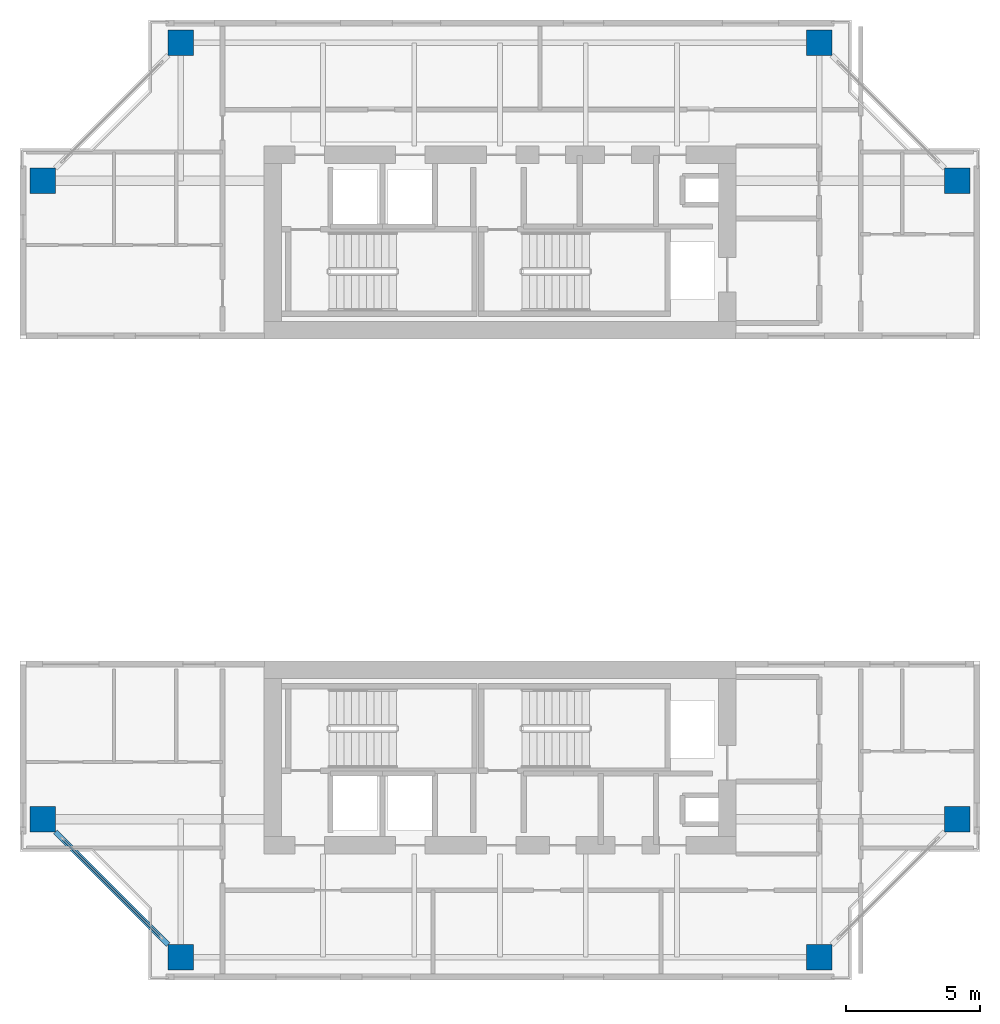
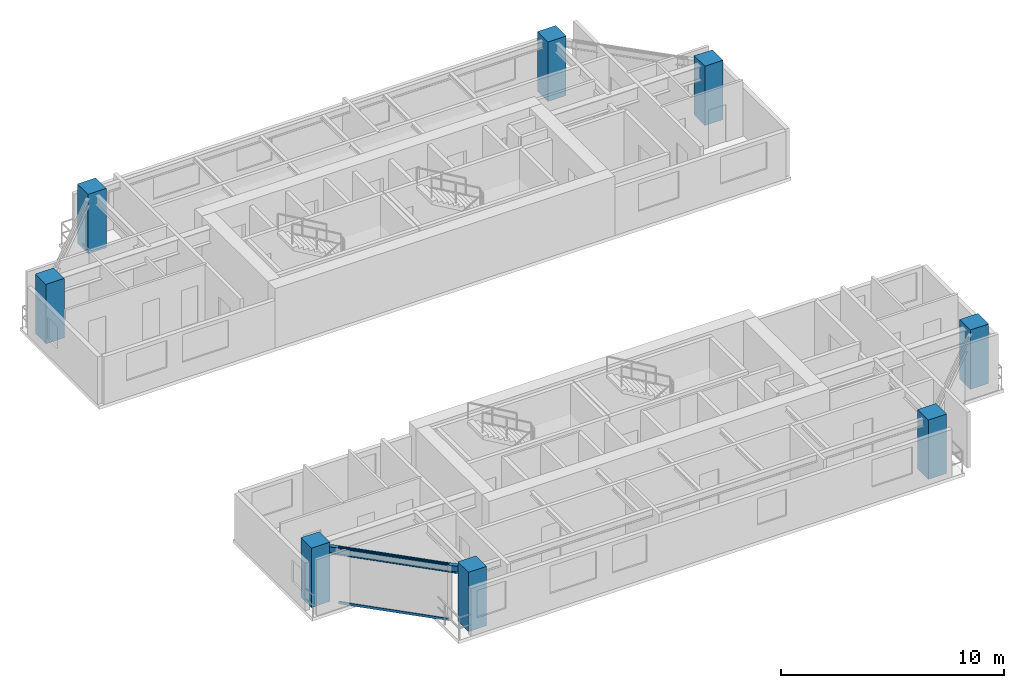
# One storey, part 1 of 12: 8 columns, 2 members, 1 beam, 1 element without a shape of its own.
"""IFC4 building model written with IfcOpenShell, lengths in metres."""

from ifc_helpers import new_model, si_unit, direction, frame, origin, origin_2d, place, context, subcontext, project, spatial, rectangle, i_section, extrude, source, transform, mapped, material, layer, layer_set, material_profile, profile_set, type_object, element, aggregate, save


model = new_model("IFC4")

# Units and contexts
model_context = context("Model", 3, precision=1e-05, world=origin(), true_north=direction((0.0, 1.0)))
body_context = subcontext(model_context, "Body", "Model", "MODEL_VIEW")
ifc_project = project(units=[si_unit("LENGTHUNIT", "METRE"), si_unit("AREAUNIT", "SQUARE_METRE"), si_unit("VOLUMEUNIT", "CUBIC_METRE"), si_unit("PLANEANGLEUNIT", "RADIAN"), si_unit("MASSUNIT", "GRAM", prefix="KILO"), si_unit("THERMODYNAMICTEMPERATUREUNIT", "KELVIN"), si_unit("POWERUNIT", "WATT")], contexts=[model_context])

# Site, building, storey
site_placement = place(None, origin())
site = spatial("IfcSite", under=ifc_project, at=site_placement, CompositionType="ELEMENT")
building_placement = place(site_placement, origin())
building = spatial("IfcBuilding", under=site, at=building_placement, Name="Qiaomeng Ring Towers", CompositionType="ELEMENT")
storey_placement = place(building_placement, frame((0.0, 0.0, 160.0)))
storey = spatial("IfcBuildingStorey", under=building, at=storey_placement, Name="L46", CompositionType="ELEMENT", Elevation=160.0)

# Columns
ifc_material_1 = material(Name="Concrete C50", Category="concrete")
ifc_material_profile_1 = material_profile(ifc_material_1, rectangle(XDim=0.949951171875, YDim=0.949951171875, at=origin_2d()), Name="RC COL 950x950")
ifc_profile_set_1 = profile_set([ifc_material_profile_1], Name="Concrete C50")
column_type = type_object("IfcColumnType", Name="STR-COL-950-C50", PredefinedType="COLUMN", material=ifc_profile_set_1)
shared_shape_1 = source(origin(), body_context, "Body", "SweptSolid", [
    extrude(rectangle(XDim=0.949951171875, YDim=0.949951171875, at=origin_2d()), origin(), (0.0, 0.0, 1.0), 3.25),
])
for number, where, z_axis, x_axis, name in (
    (1, (7.10009765625, 5.949951171875, 0.0), (0.0, 0.0, 1.0), (1.0, 0.0, 0.0), "L46 column STR-COL-L46-T1-S1"),
    (2, (30.89990234375, 5.949951171875, 0.0), (0.0, 0.0, 1.0), (1.0, 0.0, 0.0), "L46 column STR-COL-L46-T1-S2"),
    (3, (36.050048828125, 11.10009765625, 0.0), (0.0, 0.0, 1.0), (1.0, 0.0, 0.0), "L46 column STR-COL-L46-T1-E1"),
    (4, (36.050048828125, 34.89990234375, 0.0), (0.0, 0.0, 1.0), (1.0, 0.0, 0.0), "L46 column STR-COL-L46-T1-E4"),
    (5, (30.89990234375, 40.050048828125, 0.0), (0.0, 0.0, 1.0), (1.0, 0.0, 0.0), "L46 column STR-COL-L46-T1-N2"),
    (6, (7.10009765625, 40.050048828125, 0.0), (0.0, 0.0, 1.0), (1.0, 0.0, 0.0), "L46 column STR-COL-L46-T1-N1"),
    (7, (1.949951171875, 34.89990234375, 0.0), (0.0, 0.0, 1.0), (1.0, 0.0, 0.0), "L46 column STR-COL-L46-T1-W4"),
    (8, (1.949951171875, 11.10009765625, 0.0), (0.0, 0.0, 1.0), (1.0, 0.0, 0.0), "L46 column STR-COL-L46-T1-W1"),
):
    element("IfcColumn", number, at=place(storey_placement, frame(where, z_axis=z_axis, x_axis=x_axis)), inside=storey, type_object=column_type, Name=name, PredefinedType="COLUMN", context=body_context, shape_type="MappedRepresentation", body=[
        mapped(shared_shape_1, transform((0.0, 0.0, 0.0), x_axis=(1.0, 0.0, 0.0), y_axis=(0.0, 1.0, 0.0), z_axis=(0.0, 0.0, 1.0), scale=1.0)),
    ])

# Beam
ifc_material_2 = material(Name="Steel Q355B", Category="steel")
ifc_material_profile_2 = material_profile(ifc_material_2, i_section(OverallWidth=0.199951171875, OverallDepth=0.39990234375, WebThickness=0.008056640625, FlangeThickness=0.012939453125, FilletRadius=0.01611328125, at=origin_2d()), Name="HN 400x200x8x13")
ifc_profile_set_2 = profile_set([ifc_material_profile_2], Name="Steel Q355B")
beam_type = type_object("IfcBeamType", Name="STR-BM-HN400", PredefinedType="SPANDREL", material=ifc_profile_set_2)
shared_shape_2 = source(origin(), body_context, "Body", "SweptSolid", [
    extrude(i_section(OverallWidth=0.199951171875, OverallDepth=0.39990234375, WebThickness=0.008056640625, FlangeThickness=0.012939453125, FilletRadius=0.01611328125, at=origin_2d()), origin(), (0.0, 0.0, 1.0), 5.941650390625),
])
beam_placement = place(storey_placement, frame((2.42431640625, 10.625732421875, 2.8701171875), z_axis=(0.707106781187, -0.707106781187, 0.0), x_axis=(0.707106781187, 0.707106781187, 0.0)))
element("IfcBeam", 9, at=beam_placement, inside=storey, type_object=beam_type, Name="L46 beam STR-SP-L46-T1-W1-S1", PredefinedType="SPANDREL", context=body_context, shape_type="MappedRepresentation", body=[
    mapped(shared_shape_2, transform((0.0, 0.0, 0.0), x_axis=(1.0, 0.0, 0.0), y_axis=(0.0, 1.0, 0.0), z_axis=(0.0, 0.0, 1.0), scale=1.0)),
])

# Curtain wall, members
ifc_material_3 = material(Name="Fluorocarbon dark-grey aluminium", Category="aluminium")
ifc_layer = layer(ifc_material_3, 0.14990234375, Name="Fluorocarbon dark-grey aluminium")
ifc_layer_set = layer_set([ifc_layer], Name="Fluorocarbon dark-grey aluminium")
curtain_wall_type = type_object("IfcCurtainWallType", Name="ARC-CW-3", PredefinedType="NOTDEFINED", material=ifc_layer_set)
curtain_wall_placement = place(storey_placement, origin())
curtain_wall = element("IfcCurtainWall", 10, at=curtain_wall_placement, inside=storey, type_object=curtain_wall_type, Name="L46 Curtain Wall CW3", PredefinedType="NOTDEFINED")
ifc_material_profile_3 = material_profile(ifc_material_3, rectangle(XDim=0.06494140625, YDim=0.1298828125, at=origin_2d()), Name="ALU TRAN 65x130")
ifc_profile_set_3 = profile_set([ifc_material_profile_3], Name="Fluorocarbon dark-grey aluminium")
member_type = type_object("IfcMemberType", Name="ARC-CWT-120", PredefinedType="USERDEFINED", material=ifc_profile_set_3)
shared_shape_3 = source(origin(), body_context, "Body", "SweptSolid", [
    extrude(rectangle(XDim=0.06494140625, YDim=0.1298828125, at=origin_2d()), origin(), (0.0, 0.0, 1.0), 5.12060546875),
])
member_1_placement = place(storey_placement, frame((2.714599609375, 10.33544921875, 0.032470703125), z_axis=(0.707106781187, -0.707106781187, 0.0), x_axis=(0.707106781187, 0.707106781187, 0.0)))
member_1 = element("IfcMember", 11, at=member_1_placement, type_object=member_type, Name="CW3 transom 1.1", ObjectType="TRANSOM", PredefinedType="USERDEFINED", context=body_context, shape_type="MappedRepresentation", body=[
    mapped(shared_shape_3, transform((0.0, 0.0, 0.0), x_axis=(1.0, 0.0, 0.0), y_axis=(0.0, 1.0, 0.0), z_axis=(0.0, 0.0, 1.0), scale=1.0)),
])
member_2_placement = place(storey_placement, frame((2.714599609375, 10.33544921875, 3.03759765625), z_axis=(0.707106781187, -0.707106781187, 0.0), x_axis=(0.707106781187, 0.707106781187, 0.0)))
member_2 = element("IfcMember", 12, at=member_2_placement, type_object=member_type, Name="CW3 transom 1.2", ObjectType="TRANSOM", PredefinedType="USERDEFINED", context=body_context, shape_type="MappedRepresentation", body=[
    mapped(shared_shape_3, transform((0.0, 0.0, 0.0), x_axis=(1.0, 0.0, 0.0), y_axis=(0.0, 1.0, 0.0), z_axis=(0.0, 0.0, 1.0), scale=1.0)),
])
aggregate(curtain_wall, [member_1, member_2])

save(model, "model.ifc")
